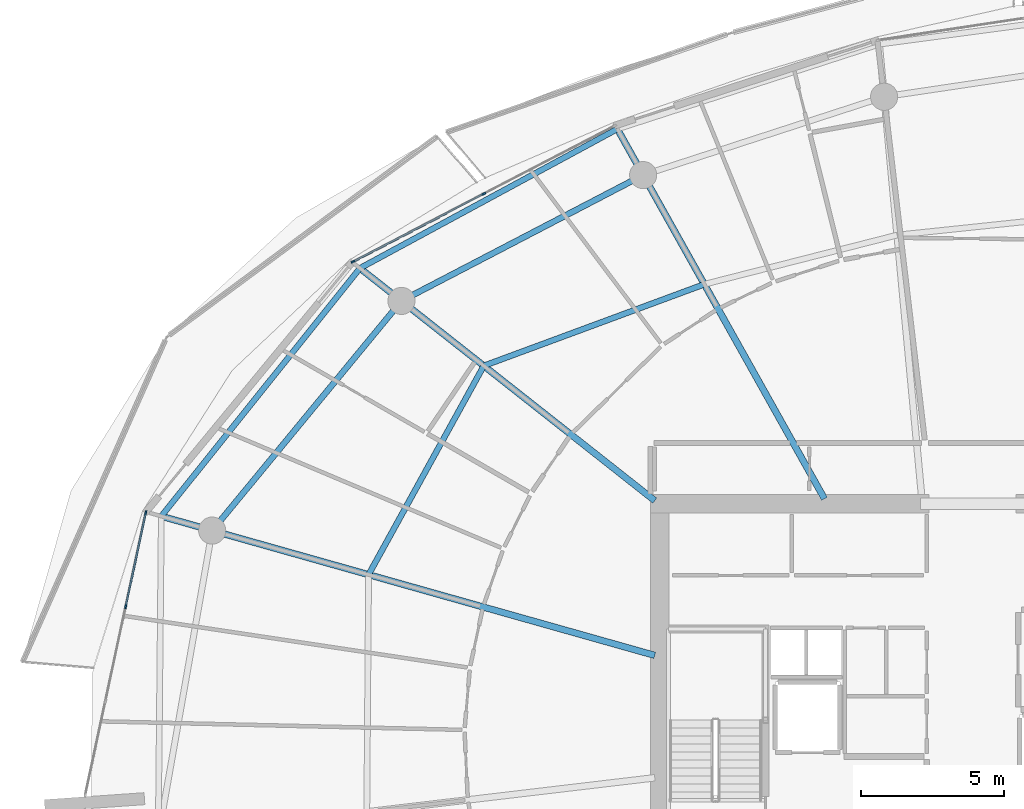
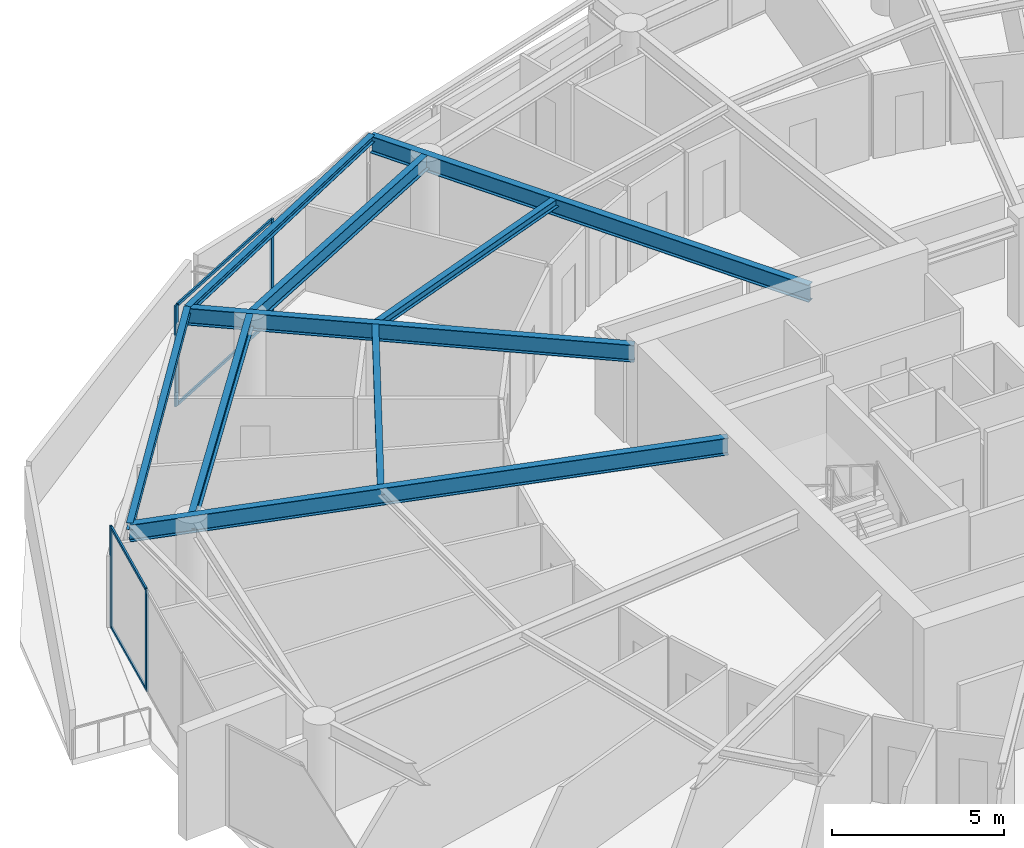
# One storey, part 12 of 30: 9 beams, 8 members, 2 elements without a shape of their own.
"""IFC4 building model written with IfcOpenShell, lengths in metres."""

from ifc_helpers import new_model, si_unit, direction, frame, origin, origin_2d, place, context, subcontext, project, spatial, rectangle, i_section, extrude, material, layer, layer_set, material_profile, profile_set, type_object, element, aggregate, save


model = new_model("IFC4")

# Units and contexts
model_context = context("Model", 3, precision=1e-05, world=origin(), true_north=direction((0.0, 1.0)))
body_context = subcontext(model_context, "Body", "Model", "MODEL_VIEW")
ifc_project = project(units=[si_unit("LENGTHUNIT", "METRE"), si_unit("AREAUNIT", "SQUARE_METRE"), si_unit("VOLUMEUNIT", "CUBIC_METRE"), si_unit("PLANEANGLEUNIT", "RADIAN"), si_unit("MASSUNIT", "GRAM", prefix="KILO")], contexts=[model_context])

# Site, building, storey
site_placement = place(None, origin())
site = spatial("IfcSite", under=ifc_project, at=site_placement, CompositionType="ELEMENT")
building_placement = place(site_placement, origin())
building = spatial("IfcBuilding", under=site, at=building_placement, Name="Kazma Halo Residences", CompositionType="ELEMENT")
storey_placement = place(building_placement, frame((0.0, 0.0, 263.64990234375)))
storey = spatial("IfcBuildingStorey", under=building, at=storey_placement, Name="L66", CompositionType="ELEMENT", Elevation=263.64990234375)

# Beams
ifc_material_1 = material(Name="Steel S355", Category="steel")
ifc_material_profile_1 = material_profile(ifc_material_1, i_section(OverallWidth=0.201904296875, OverallDepth=0.2470703125, WebThickness=0.00732421875, FlangeThickness=0.010986328125, FilletRadius=0.011962890625, at=origin_2d()), Name="W250x49.1")
ifc_profile_set_1 = profile_set([ifc_material_profile_1], Name="Steel S355")
beam_type_1 = type_object("IfcBeamType", Name="BM-BAL-CANT", PredefinedType="BEAM", material=ifc_profile_set_1)
beam_1_placement = place(storey_placement, frame((35.990478515625, 63.444580078125, 3.466552734375), z_axis=(-0.879517282036, -0.475866946321, 0.0), x_axis=(0.475866946321, -0.879517282036, 0.0)))
element("IfcBeam", 1, at=beam_1_placement, inside=storey, type_object=beam_type_1, Name="L66 wave-balcony tie beam 05", PredefinedType="BEAM", context=body_context, shape_type="SweptSolid", body=[
    extrude(i_section(OverallWidth=0.201904296875, OverallDepth=0.2470703125, WebThickness=0.00732421875, FlangeThickness=0.010986328125, FilletRadius=0.011962890625, at=origin_2d()), origin(), (0.0, 0.0, 1.0), 10.243408203125),
])
beam_2_placement = place(storey_placement, frame((26.981201171875, 58.570068359375, 3.466552734375), z_axis=(-0.625117912406, -0.780530329705, 0.0), x_axis=(0.780530329705, -0.625117912406, 0.0)))
element("IfcBeam", 2, at=beam_2_placement, inside=storey, type_object=beam_type_1, Name="L66 wave-balcony tie beam 06", PredefinedType="BEAM", context=body_context, shape_type="SweptSolid", body=[
    extrude(i_section(OverallWidth=0.201904296875, OverallDepth=0.2470703125, WebThickness=0.00732421875, FlangeThickness=0.010986328125, FilletRadius=0.011962890625, at=origin_2d()), origin(), (0.0, 0.0, 1.0), 11.1220703125),
])
ifc_material_profile_2 = material_profile(ifc_material_1, i_section(OverallWidth=0.22802734375, OverallDepth=0.60791015625, WebThickness=0.01123046875, FlangeThickness=0.017333984375, FilletRadius=0.01806640625, at=origin_2d()), Name="W610x113")
ifc_profile_set_2 = profile_set([ifc_material_profile_2], Name="Steel S355")
beam_type_2 = type_object("IfcBeamType", Name="BM-RAD-W610", PredefinedType="BEAM", material=ifc_profile_set_2)
beam_3_placement = place(storey_placement, frame((43.23974609375, 50.5, 3.2861328125), z_axis=(-0.488618902548, 0.872497316943, 0.0), x_axis=(-0.872497316943, -0.488618902548, 0.0)))
element("IfcBeam", 3, at=beam_3_placement, inside=storey, type_object=beam_type_2, Name="L66 radial floor beam 05", PredefinedType="BEAM", context=body_context, shape_type="SweptSolid", body=[
    extrude(i_section(OverallWidth=0.22802734375, OverallDepth=0.60791015625, WebThickness=0.01123046875, FlangeThickness=0.017333984375, FilletRadius=0.01806640625, at=origin_2d()), origin(), (0.0, 0.0, 1.0), 14.836181640625),
])
beam_4_placement = place(storey_placement, frame((37.300048828125, 50.435302734375, 3.2861328125), z_axis=(-0.785315374811, 0.61909592317, 0.0), x_axis=(-0.61909592317, -0.785315374811, 0.0)))
element("IfcBeam", 4, at=beam_4_placement, inside=storey, type_object=beam_type_2, Name="L66 radial floor beam 06", PredefinedType="BEAM", context=body_context, shape_type="SweptSolid", body=[
    extrude(i_section(OverallWidth=0.22802734375, OverallDepth=0.60791015625, WebThickness=0.01123046875, FlangeThickness=0.017333984375, FilletRadius=0.01806640625, at=origin_2d()), origin(), (0.0, 0.0, 1.0), 13.1396484375),
])
beam_5_placement = place(storey_placement, frame((37.300048828125, 45.017578125, 3.2861328125), z_axis=(-0.962451225349, 0.271454671766, 0.0), x_axis=(-0.271454671766, -0.962451225349, 0.0)))
element("IfcBeam", 5, at=beam_5_placement, inside=storey, type_object=beam_type_2, Name="L66 radial floor beam 07", PredefinedType="BEAM", context=body_context, shape_type="SweptSolid", body=[
    extrude(i_section(OverallWidth=0.22802734375, OverallDepth=0.60791015625, WebThickness=0.01123046875, FlangeThickness=0.017333984375, FilletRadius=0.01806640625, at=origin_2d()), origin(), (0.0, 0.0, 1.0), 17.9453125),
])
ifc_material_profile_3 = material_profile(ifc_material_1, i_section(OverallWidth=0.202880859375, OverallDepth=0.302978515625, WebThickness=0.007568359375, FlangeThickness=0.01318359375, FilletRadius=0.013916015625, at=origin_2d()), Name="W310x60")
ifc_profile_set_3 = profile_set([ifc_material_profile_3], Name="Steel S355")
beam_type_3 = type_object("IfcBeamType", Name="BM-SEC-W310A", PredefinedType="JOIST", material=ifc_profile_set_3)
beam_6_placement = place(storey_placement, frame((39.035400390625, 58.0078125, 3.4384765625), z_axis=(-0.937943961726, -0.346786857683, 0.0), x_axis=(0.346786857683, -0.937943961726, 0.0)))
element("IfcBeam", 6, at=beam_6_placement, inside=storey, type_object=beam_type_3, Name="L66 circumferential floor joist 05", PredefinedType="JOIST", context=body_context, shape_type="SweptSolid", body=[
    extrude(i_section(OverallWidth=0.202880859375, OverallDepth=0.302978515625, WebThickness=0.007568359375, FlangeThickness=0.01318359375, FilletRadius=0.013916015625, at=origin_2d()), origin(), (0.0, 0.0, 1.0), 8.231201171875),
])
beam_7_placement = place(storey_placement, frame((31.31494140625, 55.1533203125, 3.4384765625), z_axis=(-0.483003900912, -0.875618199733, 0.0), x_axis=(0.875618199733, -0.483003900912, 0.0)))
element("IfcBeam", 7, at=beam_7_placement, inside=storey, type_object=beam_type_3, Name="L66 circumferential floor joist 06", PredefinedType="JOIST", context=body_context, shape_type="SweptSolid", body=[
    extrude(i_section(OverallWidth=0.202880859375, OverallDepth=0.302978515625, WebThickness=0.007568359375, FlangeThickness=0.01318359375, FilletRadius=0.013916015625, at=origin_2d()), origin(), (0.0, 0.0, 1.0), 8.3486328125),
])
ifc_material_profile_4 = material_profile(ifc_material_1, i_section(OverallWidth=0.208984375, OverallDepth=0.532958984375, WebThickness=0.01025390625, FlangeThickness=0.015625, FilletRadius=0.01611328125, at=origin_2d()), Name="W530x92")
ifc_profile_set_4 = profile_set([ifc_material_profile_4], Name="Steel S355")
beam_type_4 = type_object("IfcBeamType", Name="BM-SPN-W530", PredefinedType="BEAM", material=ifc_profile_set_4)
beam_8_placement = place(storey_placement, frame((36.89453125, 61.830322265625, 3.323486328125), z_axis=(-0.886961047115, -0.461844238788, 0.0), x_axis=(0.461844238788, -0.886961047115, 0.0)))
element("IfcBeam", 8, at=beam_8_placement, inside=storey, type_object=beam_type_4, Name="L66 perimeter ring beam 05", PredefinedType="BEAM", context=body_context, shape_type="SweptSolid", body=[
    extrude(i_section(OverallWidth=0.208984375, OverallDepth=0.532958984375, WebThickness=0.01025390625, FlangeThickness=0.015625, FilletRadius=0.01611328125, at=origin_2d()), origin(), (0.0, 0.0, 1.0), 9.5390625),
])
beam_9_placement = place(storey_placement, frame((28.433837890625, 57.4248046875, 3.323486328125), z_axis=(-0.636002144225, -0.771687289348, 0.0), x_axis=(0.771687289348, -0.636002144225, 0.0)))
element("IfcBeam", 9, at=beam_9_placement, inside=storey, type_object=beam_type_4, Name="L66 perimeter ring beam 06", PredefinedType="BEAM", context=body_context, shape_type="SweptSolid", body=[
    extrude(i_section(OverallWidth=0.208984375, OverallDepth=0.532958984375, WebThickness=0.01025390625, FlangeThickness=0.015625, FilletRadius=0.01611328125, at=origin_2d()), origin(), (0.0, 0.0, 1.0), 10.416259765625),
])

# Curtain wall, members
ifc_material_2 = material(Name="Aluminium AW-6063 T6 and Triple-Silver Low-E Glass", Category="aluminium")
ifc_layer = layer(ifc_material_2, 0.139892578125)
ifc_layer_set = layer_set([ifc_layer], Name="Aluminium AW-6063 T6 and Triple-Silver Low-E Glass")
curtain_wall_type = type_object("IfcCurtainWallType", Name="CW-SYS-5", PredefinedType="NOTDEFINED", material=ifc_layer_set)
curtain_wall_1_placement = place(storey_placement, origin())
curtain_wall_1 = element("IfcCurtainWall", 10, at=curtain_wall_1_placement, inside=storey, type_object=curtain_wall_type, Name="L66 unitised curtain wall B05", PredefinedType="NOTDEFINED")
ifc_material_3 = material(Name="Aluminium AW-6063 T6", Category="aluminium")
ifc_material_profile_5 = material_profile(ifc_material_3, rectangle(XDim=0.06005859375, YDim=0.139892578125, at=origin_2d()), Name="CWM-60x140")
ifc_profile_set_5 = profile_set([ifc_material_profile_5], Name="Aluminium AW-6063 T6")
member_type_1 = type_object("IfcMemberType", Name="CW-SYS-5-MUL", PredefinedType="MULLION", material=ifc_profile_set_5)
member_1_placement = place(storey_placement, frame((31.31591796875, 61.175537109375, 0.0), z_axis=(0.0, 0.0, 1.0), x_axis=(0.460960760804, -0.887420518694, 0.0)))
member_1 = element("IfcMember", 11, at=member_1_placement, type_object=member_type_1, Name="CWS-5 mullion 2", PredefinedType="MULLION", context=body_context, shape_type="SweptSolid", body=[
    extrude(rectangle(XDim=0.06005859375, YDim=0.139892578125, at=origin_2d()), origin(), (0.0, 0.0, 1.0), 3.590087890625),
])
member_2_placement = place(storey_placement, frame((26.737060546875, 58.797119140625, 0.0), z_axis=(0.0, 0.0, 1.0), x_axis=(0.460960760804, -0.887420518694, 0.0)))
member_2 = element("IfcMember", 12, at=member_2_placement, type_object=member_type_1, Name="CWS-5 mullion 3", PredefinedType="MULLION", context=body_context, shape_type="SweptSolid", body=[
    extrude(rectangle(XDim=0.06005859375, YDim=0.139892578125, at=origin_2d()), origin(), (0.0, 0.0, 1.0), 3.590087890625),
])

curtain_wall_2_placement = place(storey_placement, origin())
curtain_wall_2 = element("IfcCurtainWall", 13, at=curtain_wall_2_placement, inside=storey, type_object=curtain_wall_type, Name="L66 unitised curtain wall B07", PredefinedType="NOTDEFINED")
member_3_placement = place(storey_placement, frame((19.485107421875, 50.010986328125, 0.0), z_axis=(0.0, 0.0, 1.0), x_axis=(0.97777491373, -0.209657382603, 0.0)))
member_3 = element("IfcMember", 14, at=member_3_placement, type_object=member_type_1, Name="CWS-5 mullion 1", PredefinedType="MULLION", context=body_context, shape_type="SweptSolid", body=[
    extrude(rectangle(XDim=0.06005859375, YDim=0.139892578125, at=origin_2d()), origin(), (0.0, 0.0, 1.0), 3.590087890625),
])
member_4_placement = place(storey_placement, frame((18.781005859375, 46.7265625, 0.0), z_axis=(0.0, 0.0, 1.0), x_axis=(0.97777491373, -0.209657382603, 0.0)))
member_4 = element("IfcMember", 15, at=member_4_placement, type_object=member_type_1, Name="CWS-5 mullion 2", PredefinedType="MULLION", context=body_context, shape_type="SweptSolid", body=[
    extrude(rectangle(XDim=0.06005859375, YDim=0.139892578125, at=origin_2d()), origin(), (0.0, 0.0, 1.0), 3.590087890625),
])

# Member
ifc_material_profile_6 = material_profile(ifc_material_3, rectangle(XDim=0.06005859375, YDim=0.10498046875, at=origin_2d()), Name="CWT-60x105")
ifc_profile_set_6 = profile_set([ifc_material_profile_6], Name="Aluminium AW-6063 T6")
member_type_2 = type_object("IfcMemberType", Name="CW-SYS-5-TRN", PredefinedType="USERDEFINED", material=ifc_profile_set_6)
member_5_placement = place(storey_placement, frame((31.289306640625, 61.16162109375, 0.030029296875), z_axis=(-0.887436955863, -0.46092911534, 0.0), x_axis=(0.46092911534, -0.887436955863, 0.0)))
member_5 = element("IfcMember", 16, at=member_5_placement, type_object=member_type_2, Name="CWS-5 transom 2.1", ObjectType="TRANSOM", PredefinedType="USERDEFINED", context=body_context, shape_type="SweptSolid", body=[
    extrude(rectangle(XDim=0.06005859375, YDim=0.10498046875, at=origin_2d()), origin(), (0.0, 0.0, 1.0), 5.099609375),
])

member_6_placement = place(storey_placement, frame((31.289306640625, 61.16162109375, 3.56005859375), z_axis=(-0.887436955863, -0.46092911534, 0.0), x_axis=(0.46092911534, -0.887436955863, 0.0)))
member_6 = element("IfcMember", 17, at=member_6_placement, type_object=member_type_2, Name="CWS-5 transom 2.2", ObjectType="TRANSOM", PredefinedType="USERDEFINED", context=body_context, shape_type="SweptSolid", body=[
    extrude(rectangle(XDim=0.06005859375, YDim=0.10498046875, at=origin_2d()), origin(), (0.0, 0.0, 1.0), 5.099609375),
])

aggregate(curtain_wall_1, [member_1, member_2, member_5, member_6])

member_7_placement = place(storey_placement, frame((19.47900390625, 49.9814453125, 0.030029296875), z_axis=(-0.209660493552, -0.977774246666, 0.0), x_axis=(0.977774246666, -0.209660493552, 0.0)))
member_7 = element("IfcMember", 18, at=member_7_placement, type_object=member_type_2, Name="CWS-5 transom 1.1", ObjectType="TRANSOM", PredefinedType="USERDEFINED", context=body_context, shape_type="SweptSolid", body=[
    extrude(rectangle(XDim=0.06005859375, YDim=0.10498046875, at=origin_2d()), origin(), (0.0, 0.0, 1.0), 3.298828125),
])

member_8_placement = place(storey_placement, frame((19.47900390625, 49.9814453125, 3.56005859375), z_axis=(-0.209660493552, -0.977774246666, 0.0), x_axis=(0.977774246666, -0.209660493552, 0.0)))
member_8 = element("IfcMember", 19, at=member_8_placement, type_object=member_type_2, Name="CWS-5 transom 1.2", ObjectType="TRANSOM", PredefinedType="USERDEFINED", context=body_context, shape_type="SweptSolid", body=[
    extrude(rectangle(XDim=0.06005859375, YDim=0.10498046875, at=origin_2d()), origin(), (0.0, 0.0, 1.0), 3.298828125),
])

aggregate(curtain_wall_2, [member_3, member_4, member_7, member_8])

save(model, "model.ifc")
